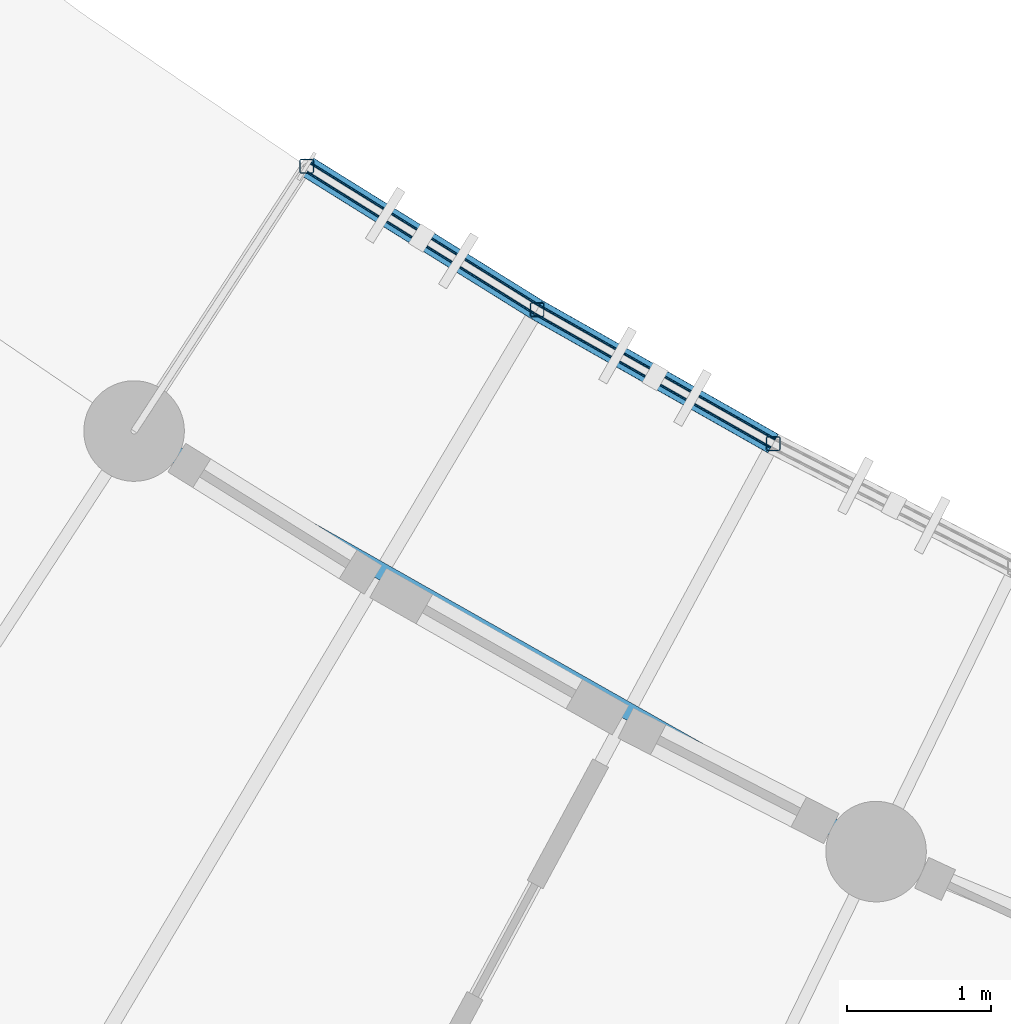
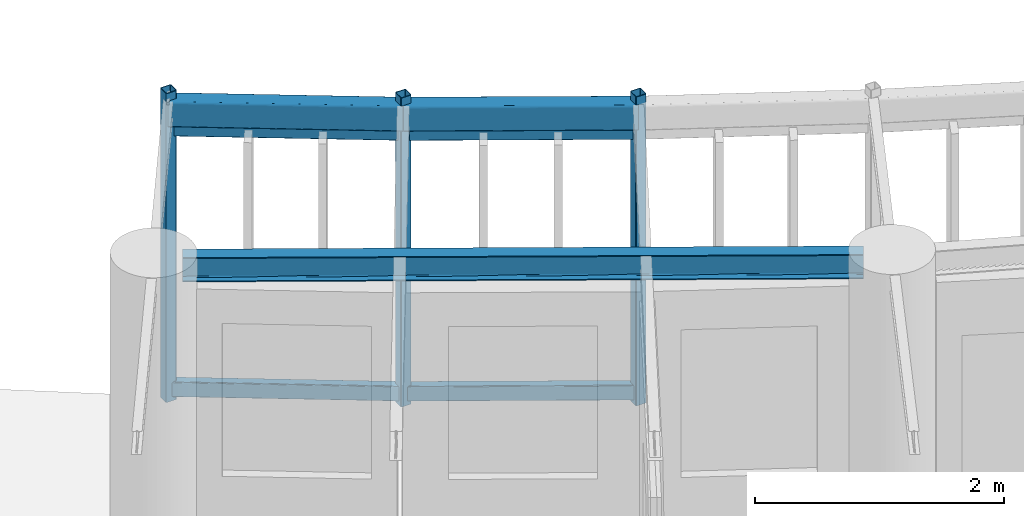
# One storey, part 6 of 100: 7 members, 3 beams.
"""IFC4 building model written with IfcOpenShell, lengths in metres."""

from ifc_helpers import new_model, si_unit, direction, frame, origin, origin_2d, place, context, subcontext, project, spatial, hollow_rectangle, i_section, extrude, material, material_profile, profile_set, type_object, element, save


model = new_model("IFC4")

# Units and contexts
model_context = context("Model", 3, precision=1e-05, world=origin(), true_north=direction((0.0, 1.0)))
body_context = subcontext(model_context, "Body", "Model", "MODEL_VIEW")
ifc_project = project(units=[si_unit("LENGTHUNIT", "METRE"), si_unit("AREAUNIT", "SQUARE_METRE"), si_unit("VOLUMEUNIT", "CUBIC_METRE"), si_unit("PLANEANGLEUNIT", "RADIAN"), si_unit("MASSUNIT", "GRAM", prefix="KILO"), si_unit("POWERUNIT", "WATT"), si_unit("THERMODYNAMICTEMPERATUREUNIT", "KELVIN")], contexts=[model_context])

# Site, building, storey
site_placement = place(None, origin())
site = spatial("IfcSite", under=ifc_project, at=site_placement, CompositionType="ELEMENT")
building_placement = place(site_placement, origin())
building = spatial("IfcBuilding", under=site, at=building_placement, Name="Ruvembo Vaulted Housing Court", CompositionType="ELEMENT")
storey_placement = place(building_placement, frame((0.0, 0.0, 10.89990234375)))
storey = spatial("IfcBuildingStorey", under=building, at=storey_placement, Name="L03", CompositionType="ELEMENT", Elevation=10.89990234375)

# Beams
ifc_material = material(Name="Steel S355J2", Category="steel")
ifc_material_profile_1 = material_profile(ifc_material, i_section(OverallWidth=0.1201171875, OverallDepth=0.239990234375, WebThickness=0.006103515625, FlangeThickness=0.009765625, FilletRadius=0.014892578125, at=origin_2d()), Name="IPE 240")
ifc_profile_set_1 = profile_set([ifc_material_profile_1], Name="Steel S355J2")
beam_type_1 = type_object("IfcBeamType", Name="BM-ST-IPE240", PredefinedType="BEAM", material=ifc_profile_set_1)
beam_placement = place(storey_placement, frame((42.99365234375, 21.671875, 2.822021484375), z_axis=(0.869955253396, -0.493130669386, 0.0), x_axis=(0.493130669386, 0.869955253396, 0.0)))
element("IfcBeam", 1, at=beam_placement, inside=storey, type_object=beam_type_1, Name="Scoop SC2 L03 Chord Girder F0", PredefinedType="BEAM", context=body_context, shape_type="SweptSolid", body=[
    extrude(i_section(OverallWidth=0.1201171875, OverallDepth=0.239990234375, WebThickness=0.006103515625, FlangeThickness=0.009765625, FilletRadius=0.014892578125, at=origin_2d()), origin(), (0.0, 0.0, 1.0), 5.4765625),
])
ifc_material_profile_2 = material_profile(ifc_material, hollow_rectangle(XDim=0.14990234375, YDim=0.25, WallThickness=0.010009765625, InnerFilletRadius=0.010009765625, OuterFilletRadius=0.02001953125, at=origin_2d()), Name="RHS 250x150x10")
ifc_profile_set_2 = profile_set([ifc_material_profile_2], Name="Steel S355J2")
beam_type_2 = type_object("IfcBeamType", Name="BM-ST-RHS250", PredefinedType="SPANDREL", material=ifc_profile_set_2)
for number, where, z_axis, x_axis, name in (
    (2, (43.99462890625, 23.62841796875, 2.815185546875), (0.848904567119, -0.52854615307, 0.0), (0.52854615307, 0.848904567119, 0.0), "Scoop SC2 L03 Balcony Edge Spandrel 0"),
    (3, (45.598388671875, 22.6298828125, 2.815185546875), (0.869955662473, -0.493129947712, 0.0), (0.493129947712, 0.869955662473, 0.0), "Scoop SC2 L03 Balcony Edge Spandrel 1"),
):
    element("IfcBeam", number, at=place(storey_placement, frame(where, z_axis=z_axis, x_axis=x_axis)), inside=storey, type_object=beam_type_2, Name=name, PredefinedType="SPANDREL", context=body_context, shape_type="SweptSolid", body=[
        extrude(hollow_rectangle(XDim=0.14990234375, YDim=0.25, WallThickness=0.010009765625, InnerFilletRadius=0.010009765625, OuterFilletRadius=0.02001953125, at=origin_2d()), origin(), (0.0, 0.0, 1.0), 1.88916015625),
    ])

# Members
ifc_material_profile_3 = material_profile(ifc_material, hollow_rectangle(XDim=0.06005859375, YDim=0.1201171875, WallThickness=0.0048828125, InnerFilletRadius=0.0048828125, OuterFilletRadius=0.010009765625, at=origin_2d()), Name="RHS 120x60x5")
ifc_profile_set_3 = profile_set([ifc_material_profile_3], Name="Steel S355J2")
member_type_1 = type_object("IfcMemberType", Name="MEM-CAR-RHS120", PredefinedType="CHORD", material=ifc_profile_set_3)
for number, where, z_axis, x_axis, name in (
    (4, (43.99462890625, 23.62841796875, 2.633056640625), (0.848904567119, -0.52854615307, 0.0), (0.52854615307, 0.848904567119, 0.0), "Scoop SC2 L03 Upper Louvre Carrier Rail 0"),
    (5, (45.598388671875, 22.6298828125, 2.633056640625), (0.869955662473, -0.493129947712, 0.0), (0.493129947712, 0.869955662473, 0.0), "Scoop SC2 L03 Upper Louvre Carrier Rail 1"),
):
    element("IfcMember", number, at=place(storey_placement, frame(where, z_axis=z_axis, x_axis=x_axis)), inside=storey, type_object=member_type_1, Name=name, PredefinedType="CHORD", context=body_context, shape_type="SweptSolid", body=[
        extrude(hollow_rectangle(XDim=0.06005859375, YDim=0.1201171875, WallThickness=0.0048828125, InnerFilletRadius=0.0048828125, OuterFilletRadius=0.010009765625, at=origin_2d()), origin(), (0.0, 0.0, 1.0), 1.88916015625),
    ])
ifc_material_profile_4 = material_profile(ifc_material, hollow_rectangle(XDim=0.080078125, YDim=0.14990234375, WallThickness=0.00634765625, InnerFilletRadius=0.00634765625, OuterFilletRadius=0.0126953125, at=origin_2d()), Name="RHS 150x80x6.3")
ifc_profile_set_4 = profile_set([ifc_material_profile_4], Name="Steel S355J2")
member_type_2 = type_object("IfcMemberType", Name="MEM-CAR-RHS150", PredefinedType="CHORD", material=ifc_profile_set_4)
for number, where, z_axis, x_axis, name in (
    (6, (43.99462890625, 23.62841796875, 0.09521484375), (0.848904567119, -0.52854615307, 0.0), (0.52854615307, 0.848904567119, 0.0), "Scoop SC2 L03 Lower Louvre Carrier Rail 0"),
    (7, (45.598388671875, 22.6298828125, 0.09521484375), (0.869955662473, -0.493129947712, 0.0), (0.493129947712, 0.869955662473, 0.0), "Scoop SC2 L03 Lower Louvre Carrier Rail 1"),
):
    element("IfcMember", number, at=place(storey_placement, frame(where, z_axis=z_axis, x_axis=x_axis)), inside=storey, type_object=member_type_2, Name=name, PredefinedType="CHORD", context=body_context, shape_type="SweptSolid", body=[
        extrude(hollow_rectangle(XDim=0.080078125, YDim=0.14990234375, WallThickness=0.00634765625, InnerFilletRadius=0.00634765625, OuterFilletRadius=0.0126953125, at=origin_2d()), origin(), (0.0, 0.0, 1.0), 1.88916015625),
    ])
ifc_material_profile_5 = material_profile(ifc_material, hollow_rectangle(XDim=0.10009765625, YDim=0.10009765625, WallThickness=0.00634765625, InnerFilletRadius=0.00634765625, OuterFilletRadius=0.0126953125, at=origin_2d()), Name="SHS 100x100x6.3")
ifc_profile_set_5 = profile_set([ifc_material_profile_5], Name="Steel S355J2")
member_type_3 = type_object("IfcMemberType", Name="MEM-FRM-SHS100", PredefinedType="STRUT", material=ifc_profile_set_5)
for number, where, z_axis, x_axis, name in (
    (8, (43.99462890625, 23.62841796875, -0.014892578125), (0.0, 0.0, 1.0), (1.0, 0.0, 0.0), "Scoop SC2 L03 Louvre Frame Post 0"),
    (9, (45.598388671875, 22.6298828125, -0.014892578125), (0.0, 0.0, 1.0), (1.0, 0.0, 0.0), "Scoop SC2 L03 Louvre Frame Post 1"),
    (10, (47.241943359375, 21.6982421875, -0.014892578125), (0.0, 0.0, 1.0), (1.0, 0.0, 0.0), "Scoop SC2 L03 Louvre Frame Post 2"),
):
    element("IfcMember", number, at=place(storey_placement, frame(where, z_axis=z_axis, x_axis=x_axis)), inside=storey, type_object=member_type_3, Name=name, PredefinedType="STRUT", context=body_context, shape_type="SweptSolid", body=[
        extrude(hollow_rectangle(XDim=0.10009765625, YDim=0.10009765625, WallThickness=0.00634765625, InnerFilletRadius=0.00634765625, OuterFilletRadius=0.0126953125, at=origin_2d()), origin(), (0.0, 0.0, 1.0), 3.032958984375),
    ])

save(model, "model.ifc")
